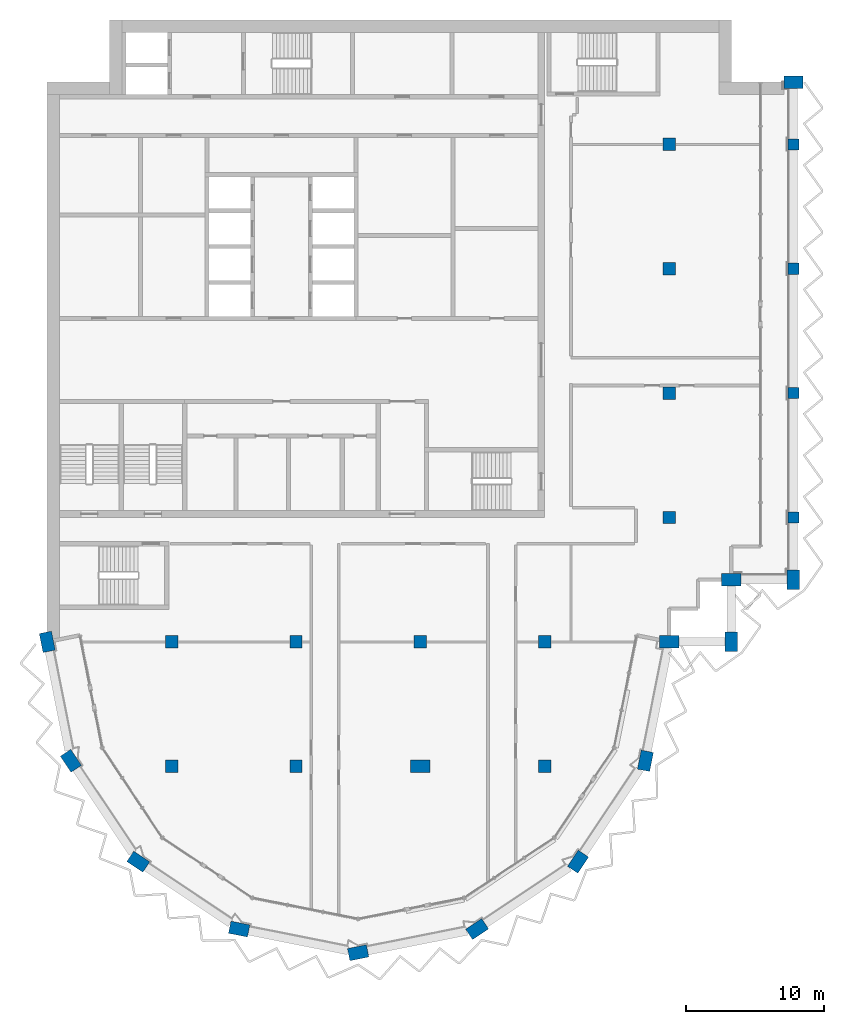
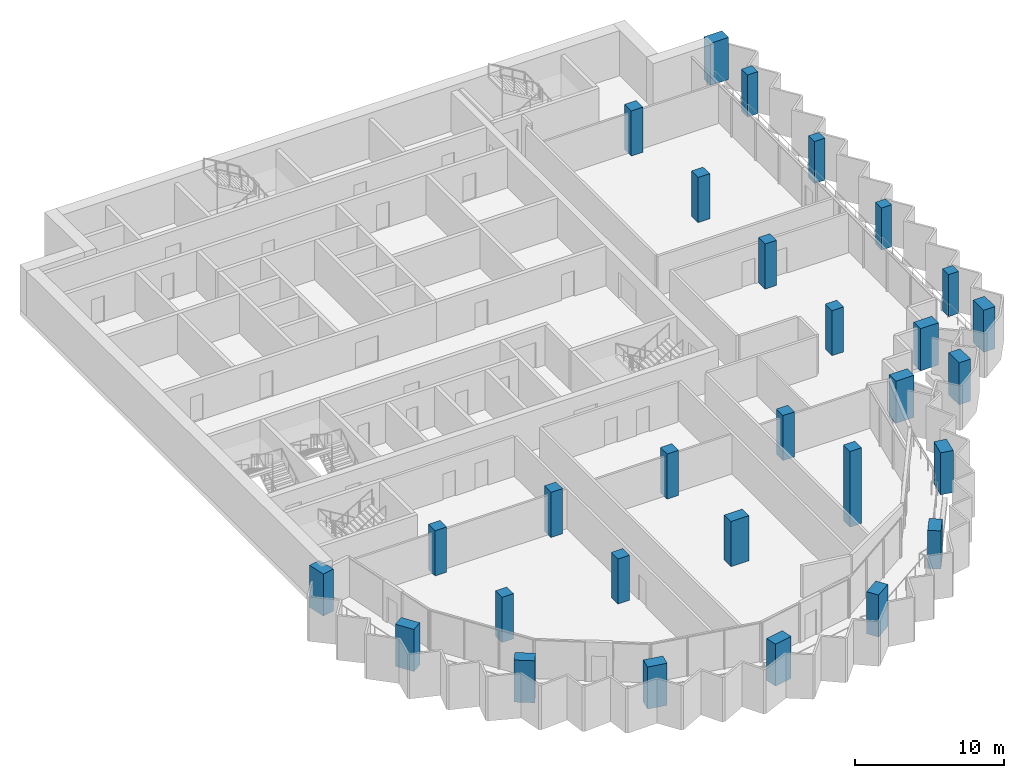
# One storey, part 1 of 13: 29 columns.
"""IFC4 building model written with IfcOpenShell, lengths in metres."""

from ifc_helpers import new_model, si_unit, direction, frame, origin, origin_2d, place, context, subcontext, project, spatial, rectangle, extrude, material, material_profile, profile_set, type_object, element, save


model = new_model("IFC4")

# Units and contexts
model_context = context("Model", 3, precision=1e-05, world=origin(), true_north=direction((0.0, 1.0)))
body_context = subcontext(model_context, "Body", "Model", "MODEL_VIEW")
ifc_project = project(units=[si_unit("LENGTHUNIT", "METRE"), si_unit("AREAUNIT", "SQUARE_METRE"), si_unit("VOLUMEUNIT", "CUBIC_METRE"), si_unit("PLANEANGLEUNIT", "RADIAN"), si_unit("MASSUNIT", "GRAM", prefix="KILO")], contexts=[model_context])

# Site, building, storey
site_placement = place(None, origin())
site = spatial("IfcSite", under=ifc_project, at=site_placement, CompositionType="ELEMENT")
building_placement = place(site_placement, origin())
building = spatial("IfcBuilding", under=site, at=building_placement, Name="Hunhe Ridgeline Campus", CompositionType="ELEMENT")
storey_placement = place(building_placement, frame((0.0, 0.0, 299.300048828125)))
storey = spatial("IfcBuildingStorey", under=building, at=storey_placement, Name="L77", CompositionType="ELEMENT", Elevation=299.300048828125)

# Columns
ifc_material = material(Name="Concrete C50", Category="concrete")
ifc_material_profile_1 = material_profile(ifc_material, rectangle(XDim=1.39990234375, YDim=0.89990234375, at=origin_2d()))
ifc_profile_set_1 = profile_set([ifc_material_profile_1], Name="Concrete C50")
column_type_1 = type_object("IfcColumnType", Name="Megacolumn 1400x900 Concrete C50", PredefinedType="COLUMN", material=ifc_profile_set_1)
for number, where, z_axis, x_axis, name in (
    (1, (22.5, 31.5, 0.0), (0.0, 0.0, 1.0), (0.980785280403, 0.195090322016, 0.0), "Column C16 R20 L77"),
    (2, (13.8896484375, 33.212646484375, 0.0), (0.0, 0.0, 1.0), (-0.980785280403, 0.195090322016, 0.0), "Column C16 R21 L77"),
    (3, (31.1103515625, 33.212646484375, 0.0), (0.0, 0.0, 1.0), (0.831469612303, 0.55557023302, 0.0), "Column C16 R22 L77"),
    (4, (6.590087890625, 38.090087890625, 0.0), (0.0, 0.0, 1.0), (-0.831469612303, 0.55557023302, 0.0), "Column C16 R25 L77"),
):
    element("IfcColumn", number, at=place(storey_placement, frame(where, z_axis=z_axis, x_axis=x_axis)), inside=storey, type_object=column_type_1, Name=name, PredefinedType="COLUMN", context=body_context, shape_type="SweptSolid", body=[
        extrude(rectangle(XDim=1.39990234375, YDim=0.89990234375, at=origin_2d()), origin(), (0.0, 0.0, 1.0), 3.449951171875),
    ])
column_1_placement = place(storey_placement, frame((38.409912109375, 38.090087890625, 0.0), z_axis=(0.0, 0.0, 1.0), x_axis=(0.55557023302, 0.831469612303, 0.0)))
element("IfcColumn", 5, at=column_1_placement, inside=storey, type_object=column_type_1, Name="Column C16 R26 L77", PredefinedType="COLUMN", context=body_context, shape_type="SweptSolid", body=[
    extrude(rectangle(XDim=1.39990234375, YDim=0.89990234375, at=origin_2d()), origin(), (0.0, 0.0, 1.0), 3.12744140625),
])
for number, where, z_axis, x_axis, name in (
    (6, (1.712646484375, 45.3896484375, 0.0), (0.0, 0.0, 1.0), (-0.55557023302, 0.831469612303, 0.0), "Column C16 R27 L77"),
    (7, (43.287353515625, 45.3896484375, 0.0), (0.0, 0.0, 1.0), (0.195090322016, 0.980785280403, 0.0), "Column C16 R28 L77"),
    (8, (0.0, 54.0, 0.0), (0.0, 0.0, 1.0), (-0.195090322016, 0.980785280403, 0.0), "Column C16 G1 L77"),
    (9, (45.0, 54.0, 0.0), (0.0, 0.0, 1.0), (1.0, 0.0, 0.0), "Column C16 G6 L77"),
    (10, (49.5, 54.0, 0.0), (0.0, 0.0, 1.0), (0.0, 1.0, 0.0), "Column C16 R29 L77"),
    (11, (49.5, 58.5, 0.0), (0.0, 0.0, 1.0), (1.0, 0.0, 0.0), "Column C16 R33 L77"),
    (12, (54.0, 58.5, 0.0), (0.0, 0.0, 1.0), (0.0, 1.0, 0.0), "Column C16 R34 L77"),
    (13, (54.0, 94.5, 0.0), (0.0, 0.0, 1.0), (1.0, 0.0, 0.0), "Column C16 R41 L77"),
):
    element("IfcColumn", number, at=place(storey_placement, frame(where, z_axis=z_axis, x_axis=x_axis)), inside=storey, type_object=column_type_1, Name=name, PredefinedType="COLUMN", context=body_context, shape_type="SweptSolid", body=[
        extrude(rectangle(XDim=1.39990234375, YDim=0.89990234375, at=origin_2d()), origin(), (0.0, 0.0, 1.0), 3.449951171875),
    ])
column_2_placement = place(storey_placement, frame((27.0, 45.0, 0.0), z_axis=(0.0, 0.0, 1.0), x_axis=(1.0, 0.0, 0.0)))
element("IfcColumn", 14, at=column_2_placement, inside=storey, type_object=column_type_1, Name="Column C16 F4 L77", PredefinedType="COLUMN", context=body_context, shape_type="SweptSolid", body=[
    extrude(rectangle(XDim=1.39990234375, YDim=0.89990234375, at=origin_2d()), origin(), (0.0, 0.0, 1.0), 3.699951171875),
])
ifc_material_profile_2 = material_profile(ifc_material, rectangle(XDim=0.800048828125, YDim=0.800048828125, at=origin_2d()))
ifc_profile_set_2 = profile_set([ifc_material_profile_2], Name="Concrete C50")
column_type_2 = type_object("IfcColumnType", Name="RC column 800x800 Concrete C50", PredefinedType="COLUMN", material=ifc_profile_set_2)
for number, where, z_axis, x_axis, name in (
    (15, (54.0, 63.0, 0.0), (0.0, 0.0, 1.0), (1.0, 0.0, 0.0), "Column C17 H7 L77"),
    (16, (54.0, 72.0, 0.0), (0.0, 0.0, 1.0), (1.0, 0.0, 0.0), "Column C17 I7 L77"),
    (17, (54.0, 81.0, 0.0), (0.0, 0.0, 1.0), (1.0, 0.0, 0.0), "Column C17 J7 L77"),
    (18, (54.0, 90.0, 0.0), (0.0, 0.0, 1.0), (1.0, 0.0, 0.0), "Column C17 K7 L77"),
):
    element("IfcColumn", number, at=place(storey_placement, frame(where, z_axis=z_axis, x_axis=x_axis)), inside=storey, type_object=column_type_2, Name=name, PredefinedType="COLUMN", context=body_context, shape_type="SweptSolid", body=[
        extrude(rectangle(XDim=0.800048828125, YDim=0.800048828125, at=origin_2d()), origin(), (0.0, 0.0, 1.0), 3.449951171875),
    ])
ifc_material_profile_3 = material_profile(ifc_material, rectangle(XDim=0.89990234375, YDim=0.89990234375, at=origin_2d()))
ifc_profile_set_3 = profile_set([ifc_material_profile_3], Name="Concrete C50")
column_type_3 = type_object("IfcColumnType", Name="RC column 900x900 Concrete C50", PredefinedType="COLUMN", material=ifc_profile_set_3)
for number, where, z_axis, x_axis, name in (
    (19, (9.0, 45.0, 0.0), (0.0, 0.0, 1.0), (1.0, 0.0, 0.0), "Column C18 F2 L77"),
    (20, (9.0, 54.0, 0.0), (0.0, 0.0, 1.0), (1.0, 0.0, 0.0), "Column C18 G2 L77"),
    (21, (18.0, 45.0, 0.0), (0.0, 0.0, 1.0), (1.0, 0.0, 0.0), "Column C18 F3 L77"),
    (22, (18.0, 54.0, 0.0), (0.0, 0.0, 1.0), (1.0, 0.0, 0.0), "Column C18 G3 L77"),
    (23, (27.0, 54.0, 0.0), (0.0, 0.0, 1.0), (1.0, 0.0, 0.0), "Column C18 G4 L77"),
):
    element("IfcColumn", number, at=place(storey_placement, frame(where, z_axis=z_axis, x_axis=x_axis)), inside=storey, type_object=column_type_3, Name=name, PredefinedType="COLUMN", context=body_context, shape_type="SweptSolid", body=[
        extrude(rectangle(XDim=0.89990234375, YDim=0.89990234375, at=origin_2d()), origin(), (0.0, 0.0, 1.0), 3.699951171875),
    ])
column_3_placement = place(storey_placement, frame((36.0, 45.0, 0.0), z_axis=(0.0, 0.0, 1.0), x_axis=(1.0, 0.0, 0.0)))
element("IfcColumn", 24, at=column_3_placement, inside=storey, type_object=column_type_3, Name="Column C18 F5 L77", PredefinedType="COLUMN", context=body_context, shape_type="SweptSolid", body=[
    extrude(rectangle(XDim=0.89990234375, YDim=0.89990234375, at=origin_2d()), origin(), (0.0, 0.0, 1.0), 6.20654296875),
])
for number, where, z_axis, x_axis, name in (
    (25, (36.0, 54.0, 0.0), (0.0, 0.0, 1.0), (1.0, 0.0, 0.0), "Column C18 G5 L77"),
    (26, (45.0, 63.0, 0.0), (0.0, 0.0, 1.0), (1.0, 0.0, 0.0), "Column C18 H6 L77"),
    (27, (45.0, 72.0, 0.0), (0.0, 0.0, 1.0), (1.0, 0.0, 0.0), "Column C18 I6 L77"),
    (28, (45.0, 81.0, 0.0), (0.0, 0.0, 1.0), (1.0, 0.0, 0.0), "Column C18 J6 L77"),
    (29, (45.0, 90.0, 0.0), (0.0, 0.0, 1.0), (1.0, 0.0, 0.0), "Column C18 K6 L77"),
):
    element("IfcColumn", number, at=place(storey_placement, frame(where, z_axis=z_axis, x_axis=x_axis)), inside=storey, type_object=column_type_3, Name=name, PredefinedType="COLUMN", context=body_context, shape_type="SweptSolid", body=[
        extrude(rectangle(XDim=0.89990234375, YDim=0.89990234375, at=origin_2d()), origin(), (0.0, 0.0, 1.0), 3.699951171875),
    ])

save(model, "model.ifc")
